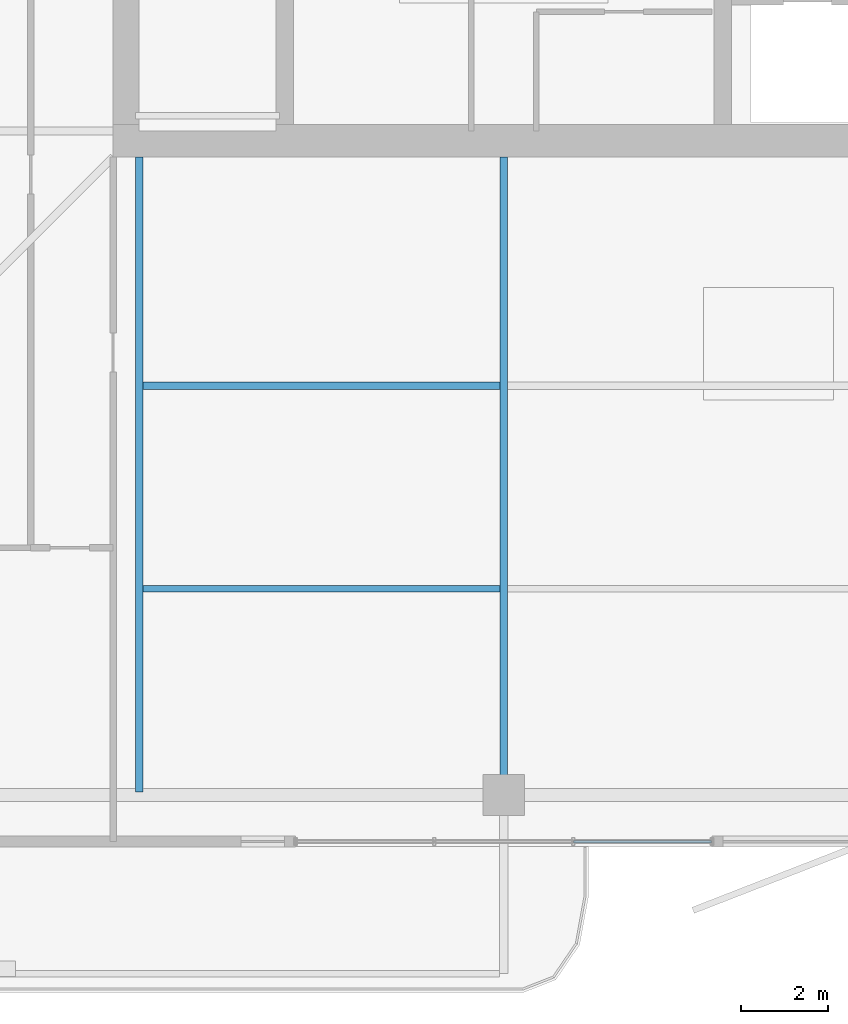
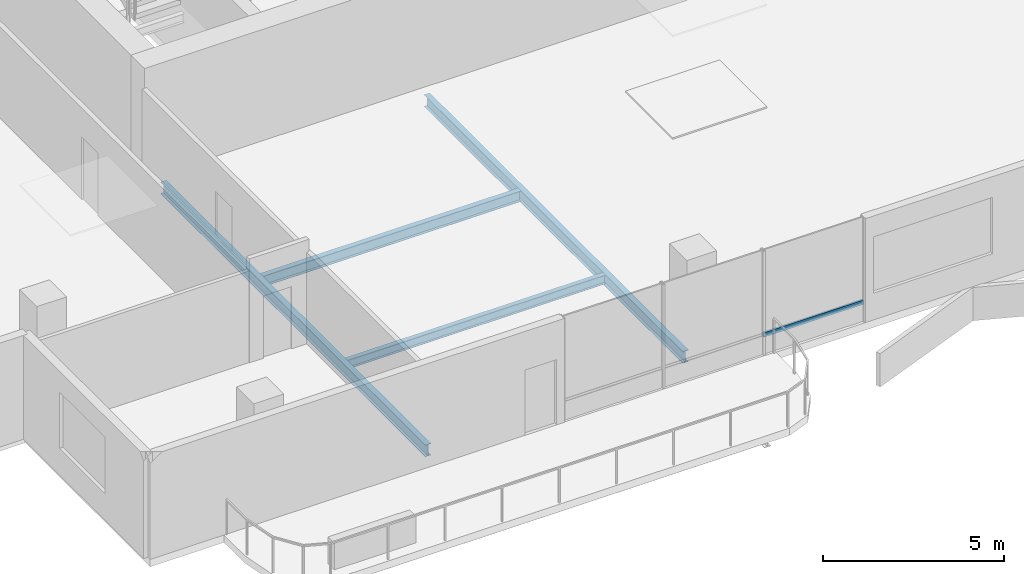
# One storey, part 3 of 23: 4 beams, 1 member, 1 element without a shape of its own.
"""IFC4 building model written with IfcOpenShell, lengths in metres."""

from ifc_helpers import new_model, si_unit, direction, frame, origin, origin_2d, place, context, subcontext, project, spatial, hollow_rectangle, i_section, extrude, material, layer, layer_set, material_profile, profile_set, type_object, element, aggregate, save


model = new_model("IFC4")

# Units and contexts
model_context = context("Model", 3, precision=1e-05, world=origin(), true_north=direction((0.0, 1.0)))
body_context = subcontext(model_context, "Body", "Model", "MODEL_VIEW")
ifc_project = project(units=[si_unit("LENGTHUNIT", "METRE"), si_unit("AREAUNIT", "SQUARE_METRE"), si_unit("VOLUMEUNIT", "CUBIC_METRE"), si_unit("PLANEANGLEUNIT", "RADIAN"), si_unit("MASSUNIT", "GRAM", prefix="KILO")], contexts=[model_context])

# Site, building, storey
site_placement = place(None, origin())
site = spatial("IfcSite", under=ifc_project, at=site_placement, CompositionType="ELEMENT")
building_placement = place(site_placement, origin())
building = spatial("IfcBuilding", under=site, at=building_placement, Name="Belovzor Exchange Tower", CompositionType="ELEMENT")
storey_placement = place(building_placement, frame((0.0, 0.0, 276.60009765625)))
storey = spatial("IfcBuildingStorey", under=building, at=storey_placement, Name="L69", CompositionType="ELEMENT", Elevation=276.60009765625)

# Beams
ifc_material_1 = material(Name="Steel S355", Category="steel")
ifc_material_profile_1 = material_profile(ifc_material_1, i_section(OverallWidth=0.169921875, OverallDepth=0.360107421875, WebThickness=0.008056640625, FlangeThickness=0.0126953125, at=origin_2d()))
ifc_profile_set_1 = profile_set([ifc_material_profile_1], Name="Steel S355")
beam_type_1 = type_object("IfcBeamType", Name="Secondary Infill Floor Joist IPE 360", PredefinedType="BEAM", material=ifc_profile_set_1)
beam_1_placement = place(storey_placement, frame((20.489990234375, 14.534912109375, -0.43017578125), z_axis=(1.0, 0.0, 0.0), x_axis=(0.0, 1.0, 0.0)))
element("IfcBeam", 1, at=beam_1_placement, inside=storey, type_object=beam_type_1, Name="FJ-360 Secondary Infill Floor Joist IPE 360", PredefinedType="BEAM", context=body_context, shape_type="SweptSolid", body=[
    extrude(i_section(OverallWidth=0.169921875, OverallDepth=0.360107421875, WebThickness=0.008056640625, FlangeThickness=0.0126953125, at=origin_2d()), origin(), (0.0, 0.0, 1.0), 8.219970703125),
])
ifc_material_2 = material(Name="Steel S355", Category="steel")
ifc_material_profile_2 = material_profile(ifc_material_2, i_section(OverallWidth=0.14990234375, OverallDepth=0.300048828125, WebThickness=0.007080078125, FlangeThickness=0.0107421875, at=origin_2d()))
ifc_profile_set_2 = profile_set([ifc_material_profile_2], Name="Steel S355")
beam_type_2 = type_object("IfcBeamType", Name="Secondary Trim Floor Joist IPE 300", PredefinedType="BEAM", material=ifc_profile_set_2)
beam_2_placement = place(storey_placement, frame((20.489990234375, 9.85498046875, -0.400146484375), z_axis=(1.0, 0.0, 0.0), x_axis=(0.0, 1.0, 0.0)))
element("IfcBeam", 2, at=beam_2_placement, inside=storey, type_object=beam_type_2, Name="FJ-300 Secondary Trim Floor Joist IPE 300", PredefinedType="BEAM", context=body_context, shape_type="SweptSolid", body=[
    extrude(i_section(OverallWidth=0.14990234375, OverallDepth=0.300048828125, WebThickness=0.007080078125, FlangeThickness=0.0107421875, at=origin_2d()), origin(), (0.0, 0.0, 1.0), 8.219970703125),
])

# Curtain wall, member
ifc_material_3 = material(Name="Anodised Aluminium Framing", Category="aluminium")
ifc_layer = layer(ifc_material_3, 0.179931640625)
ifc_layer_set = layer_set([ifc_layer], Name="Anodised Aluminium Framing")
curtain_wall_type = type_object("IfcCurtainWallType", Name="Recessed Loggia Low-Iron Triple-Glazed Curtain Wall", PredefinedType="NOTDEFINED", material=ifc_layer_set)
curtain_wall_placement = place(storey_placement, origin())
curtain_wall = element("IfcCurtainWall", 3, at=curtain_wall_placement, inside=storey, type_object=curtain_wall_type, Name="CW3 Recessed Loggia Low-Iron Triple-Glazed Curtain Wall L69", PredefinedType="NOTDEFINED")
ifc_material_4 = material(Name="Steel S355", Category="steel")
ifc_material_profile_3 = material_profile(ifc_material_4, hollow_rectangle(XDim=0.06005859375, YDim=0.14990234375, WallThickness=0.00390625, at=origin_2d()))
ifc_profile_set_3 = profile_set([ifc_material_profile_3], Name="Steel S355")
member_type = type_object("IfcMemberType", Name="Thermally Broken Curtain Wall Transom 150x60", PredefinedType="USERDEFINED", material=ifc_profile_set_3)
member_placement = place(storey_placement, frame((33.592041015625, 4.030029296875, 0.6298828125), z_axis=(-1.0, 0.0, 0.0), x_axis=(0.0, -1.0, 0.0)))
member = element("IfcMember", 4, at=member_placement, type_object=member_type, Name="CW-T150 Curtain Wall Transom 1", ObjectType="TRANSOM", PredefinedType="USERDEFINED", context=body_context, shape_type="SweptSolid", body=[
    extrude(hollow_rectangle(XDim=0.06005859375, YDim=0.14990234375, WallThickness=0.00390625, at=origin_2d()), origin(), (0.0, 0.0, 1.0), 3.18408203125),
])
aggregate(curtain_wall, [member])

# Beams
ifc_material_5 = material(Name="Steel S355", Category="steel")
ifc_material_profile_4 = material_profile(ifc_material_5, i_section(OverallWidth=0.179931640625, OverallDepth=0.39990234375, WebThickness=0.008544921875, FlangeThickness=0.013427734375, at=origin_2d()))
ifc_profile_set_4 = profile_set([ifc_material_profile_4], Name="Steel S355")
beam_type_3 = type_object("IfcBeamType", Name="Zone 5-6 Radial Composite Floor Beam IPE 400", PredefinedType="BEAM", material=ifc_profile_set_4)
beam_3_placement = place(storey_placement, frame((20.39990234375, 19.800048828125, -0.4501953125), z_axis=(0.0, -1.0, 0.0), x_axis=(1.0, 0.0, 0.0)))
element("IfcBeam", 5, at=beam_3_placement, inside=storey, type_object=beam_type_3, Name="FB-400 Zone 5-6 Radial Composite Floor Beam IPE 400", PredefinedType="BEAM", context=body_context, shape_type="SweptSolid", body=[
    extrude(i_section(OverallWidth=0.179931640625, OverallDepth=0.39990234375, WebThickness=0.008544921875, FlangeThickness=0.013427734375, at=origin_2d()), origin(), (0.0, 0.0, 1.0), 14.625),
])
beam_4_placement = place(storey_placement, frame((28.800048828125, 19.800048828125, -0.4501953125), z_axis=(0.0, -1.0, 0.0), x_axis=(1.0, 0.0, 0.0)))
element("IfcBeam", 6, at=beam_4_placement, inside=storey, type_object=beam_type_3, Name="FB-400 Zone 5-6 Radial Composite Floor Beam IPE 400", PredefinedType="BEAM", context=body_context, shape_type="SweptSolid", body=[
    extrude(i_section(OverallWidth=0.179931640625, OverallDepth=0.39990234375, WebThickness=0.008544921875, FlangeThickness=0.013427734375, at=origin_2d()), origin(), (0.0, 0.0, 1.0), 14.281982421875),
])

save(model, "model.ifc")
